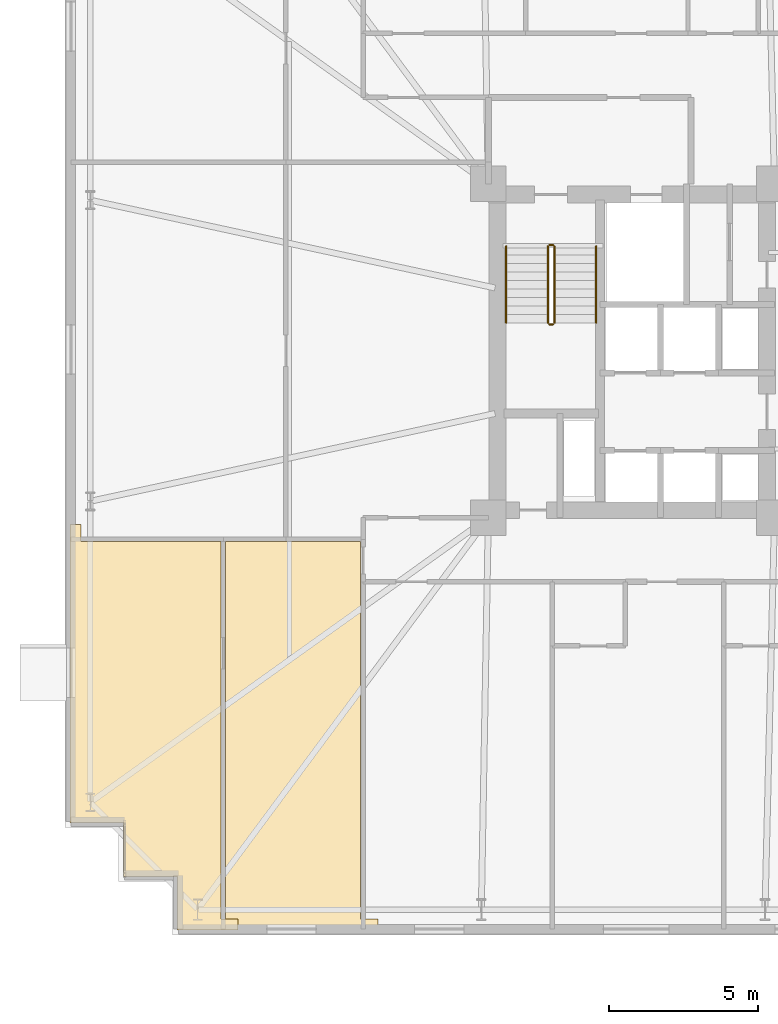
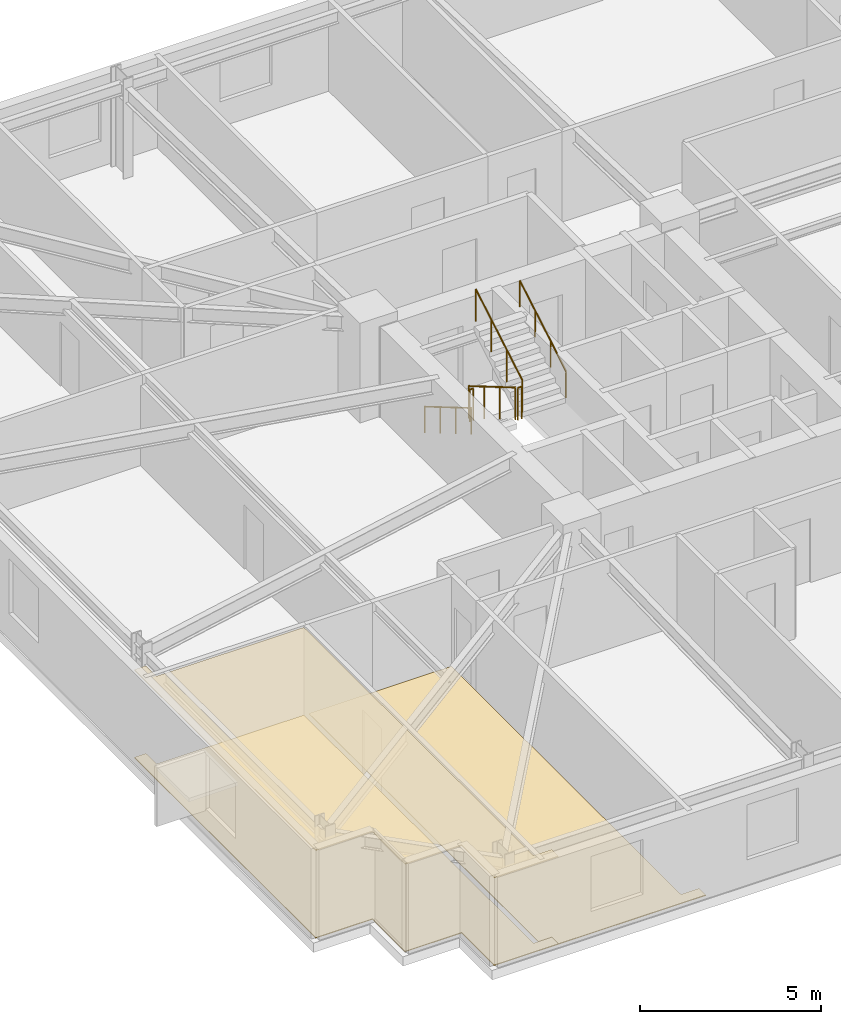
# One storey, part 19 of 20: 6 railings, 3 coverings.
"""IFC4 building model written with IfcOpenShell, lengths in metres."""

from ifc_helpers import new_model, si_unit, direction, frame, origin, origin_2d, place, context, subcontext, project, spatial, polyline, circle, outline, extrude, material, layer, layer_set, type_object, element, save


model = new_model("IFC4")

# Units and contexts
model_context = context("Model", 3, precision=1e-05, world=origin(), true_north=direction((0.0, 1.0)))
body_context = subcontext(model_context, "Body", "Model", "MODEL_VIEW")
ifc_project = project(units=[si_unit("LENGTHUNIT", "METRE"), si_unit("AREAUNIT", "SQUARE_METRE"), si_unit("VOLUMEUNIT", "CUBIC_METRE"), si_unit("PLANEANGLEUNIT", "RADIAN"), si_unit("MASSUNIT", "GRAM", prefix="KILO")], contexts=[model_context])

# Site, building, storey
site_placement = place(None, origin())
site = spatial("IfcSite", under=ifc_project, at=site_placement, CompositionType="ELEMENT")
building_placement = place(site_placement, origin())
building = spatial("IfcBuilding", under=site, at=building_placement, Name="Qobustan Lattice House", CompositionType="ELEMENT")
storey_placement = place(building_placement, frame((0.0, 0.0, 67.199951171875)))
storey = spatial("IfcBuildingStorey", under=building, at=storey_placement, Name="L18", CompositionType="ELEMENT", Elevation=67.199951171875)

# Coverings
ifc_material_1 = material(Name="Perforated gypsum acoustic ceiling", Category="gypsum")
ifc_layer_1 = layer(ifc_material_1, 0.030029296875)
ifc_layer_set_1 = layer_set([ifc_layer_1], Name="Perforated gypsum acoustic ceiling")
covering_type_1 = type_object("IfcCoveringType", Name="COV-ACOUSTIC-CEIL", PredefinedType="CEILING", material=ifc_layer_set_1)
covering_1_placement = place(storey_placement, frame((0.0, 0.0, 2.945068359375)))
element("IfcCovering", 1, at=covering_1_placement, inside=storey, type_object=covering_type_1, Name="L18 Focus study room W1A acoustic ceiling", PredefinedType="CEILING", context=body_context, shape_type="SweptSolid", body=[
    extrude(outline(polyline([(-29.22998046875, -19.429931640625), (-27.18994140625, -19.429931640625), (-27.18994140625, -19.06005859375), (-27.77001953125, -19.06005859375), (-27.77001953125, -6.406982421875), (-32.4599609375, -6.406982421875), (-32.4599609375, -5.826904296875), (-32.830078125, -5.826904296875), (-32.830078125, -15.830078125), (-31.030029296875, -15.830078125), (-31.030029296875, -17.6298828125), (-29.22998046875, -17.6298828125), (-29.22998046875, -19.429931640625)])), origin(), (0.0, 0.0, 1.0), 0.030029296875),
])
ifc_material_2 = material(Name="Honed Absheron stone terrazzo flooring", Category="masonry")
ifc_layer_2 = layer(ifc_material_2, 0.02490234375)
ifc_layer_set_2 = layer_set([ifc_layer_2], Name="Honed Absheron stone terrazzo flooring")
covering_type_2 = type_object("IfcCoveringType", Name="COV-TERRAZZO-FLR", PredefinedType="FLOORING", material=ifc_layer_set_2)
covering_2_placement = place(storey_placement, origin())
element("IfcCovering", 2, at=covering_2_placement, inside=storey, type_object=covering_type_2, Name="L18 Focus study room W1A stone terrazzo flooring", PredefinedType="FLOORING", context=body_context, shape_type="SweptSolid", body=[
    extrude(outline(polyline([(-29.22998046875, -19.429931640625), (-27.18994140625, -19.429931640625), (-27.18994140625, -19.06005859375), (-27.77001953125, -19.06005859375), (-27.77001953125, -6.406982421875), (-32.4599609375, -6.406982421875), (-32.4599609375, -5.826904296875), (-32.830078125, -5.826904296875), (-32.830078125, -15.830078125), (-31.030029296875, -15.830078125), (-31.030029296875, -17.6298828125), (-29.22998046875, -17.6298828125), (-29.22998046875, -19.429931640625)])), origin(), (0.0, 0.0, 1.0), 0.025146484375),
])
covering_3_placement = place(storey_placement, origin())
element("IfcCovering", 3, at=covering_3_placement, inside=storey, type_object=covering_type_2, Name="L18 Focus study room W1B stone terrazzo flooring", PredefinedType="FLOORING", context=body_context, shape_type="SweptSolid", body=[
    extrude(outline(polyline([(-22.5, -19.429931640625), (-22.5, -19.06005859375), (-23.080078125, -19.06005859375), (-23.080078125, -6.406982421875), (-27.610107421875, -6.406982421875), (-27.610107421875, -19.06005859375), (-28.18994140625, -19.06005859375), (-28.18994140625, -19.429931640625), (-22.5, -19.429931640625)])), origin(), (0.0, 0.0, 1.0), 0.025146484375),
])

# Railings
ifc_material_3 = material(Name="Brushed stainless steel handrail", Category="steel")
railing_type_1 = type_object("IfcRailingType", Name="RAL-HR-920", PredefinedType="HANDRAIL", material=ifc_material_3)
railing_1_placement = place(storey_placement, frame((-18.199951171875, 3.5, 0.16748046875)))
element("IfcRailing", 4, at=railing_1_placement, inside=storey, type_object=railing_type_1, Name="L18 ST-W1 stair handrail 1", PredefinedType="HANDRAIL", context=body_context, shape_type="SweptSolid", body=[
    extrude(circle(Radius=0.02392578125, at=origin_2d()), frame((0.0, 0.0, 0.8759765625), z_axis=(0.0, -0.862113467892, 0.50671527358), x_axis=(1.0, 0.0, 0.0)), (0.0, 0.0, 1.0), 2.97509765625),
    extrude(circle(Radius=0.02099609375, at=origin_2d()), origin(), (0.0, 0.0, 1.0), 0.851806640625),
    extrude(circle(Radius=0.02099609375, at=origin_2d()), frame((0.0, -0.85498046875, 0.50244140625)), (0.0, 0.0, 1.0), 0.851806640625),
    extrude(circle(Radius=0.02099609375, at=origin_2d()), frame((0.0, -1.7099609375, 1.005126953125)), (0.0, 0.0, 1.0), 0.851806640625),
    extrude(circle(Radius=0.02099609375, at=origin_2d()), frame((0.0, -2.56494140625, 1.507568359375)), (0.0, 0.0, 1.0), 0.851806640625),
])
railing_2_placement = place(storey_placement, frame((-15.179931640625, 0.93505859375, 1.842529296875)))
element("IfcRailing", 5, at=railing_2_placement, inside=storey, type_object=railing_type_1, Name="L18 ST-W1 stair handrail 2", PredefinedType="HANDRAIL", context=body_context, shape_type="SweptSolid", body=[
    extrude(circle(Radius=0.02392578125, at=origin_2d()), frame((0.0, 0.0, 0.8759765625), z_axis=(0.0, 0.862113467892, 0.50671527358), x_axis=(-1.0, 0.0, 0.0)), (0.0, 0.0, 1.0), 2.97509765625),
    extrude(circle(Radius=0.02099609375, at=origin_2d()), origin(), (0.0, 0.0, 1.0), 0.851806640625),
    extrude(circle(Radius=0.02099609375, at=origin_2d()), frame((0.0, 0.85498046875, 0.50244140625)), (0.0, 0.0, 1.0), 0.851806640625),
    extrude(circle(Radius=0.02099609375, at=origin_2d()), frame((0.0, 1.7099609375, 1.005126953125)), (0.0, 0.0, 1.0), 0.851806640625),
    extrude(circle(Radius=0.02099609375, at=origin_2d()), frame((0.0, 2.56494140625, 1.507568359375)), (0.0, 0.0, 1.0), 0.851806640625),
])
ifc_material_4 = material(Name="Painted galvanized steel guardrail", Category="steel")
railing_type_2 = type_object("IfcRailingType", Name="RAL-STG-1150", PredefinedType="GUARDRAIL", material=ifc_material_4)
railing_3_placement = place(storey_placement, frame((-16.800048828125, 3.5, 0.16748046875)))
element("IfcRailing", 6, at=railing_3_placement, inside=storey, type_object=railing_type_2, Name="L18 ST-W1 stair guard 1", PredefinedType="GUARDRAIL", context=body_context, shape_type="SweptSolid", body=[
    extrude(circle(Radius=0.02392578125, at=origin_2d()), frame((0.0, 0.0, 1.076171875), z_axis=(0.0, -0.862113467892, 0.50671527358), x_axis=(1.0, 0.0, 0.0)), (0.0, 0.0, 1.0), 2.97509765625),
    extrude(circle(Radius=0.02099609375, at=origin_2d()), origin(), (0.0, 0.0, 1.0), 1.052001953125),
    extrude(circle(Radius=0.02099609375, at=origin_2d()), frame((0.0, -0.85498046875, 0.50244140625)), (0.0, 0.0, 1.0), 1.052001953125),
    extrude(circle(Radius=0.02099609375, at=origin_2d()), frame((0.0, -1.7099609375, 1.005126953125)), (0.0, 0.0, 1.0), 1.052001953125),
    extrude(circle(Radius=0.02099609375, at=origin_2d()), frame((0.0, -2.56494140625, 1.507568359375)), (0.0, 0.0, 1.0), 1.052001953125),
])
railing_4_placement = place(storey_placement, frame((-16.75, 0.885009765625, 1.675048828125)))
element("IfcRailing", 7, at=railing_4_placement, inside=storey, type_object=railing_type_2, Name="L18 ST-W1 stair guard 2", PredefinedType="GUARDRAIL", context=body_context, shape_type="SweptSolid", body=[
    extrude(circle(Radius=0.02392578125, at=origin_2d()), frame((0.0, 0.0, 1.076171875), z_axis=(1.0, 0.0, 0.0), x_axis=(0.0, 1.0, 0.0)), (0.0, 0.0, 1.0), 0.1201171875),
    extrude(circle(Radius=0.02099609375, at=origin_2d()), origin(), (0.0, 0.0, 1.0), 1.052001953125),
    extrude(circle(Radius=0.02099609375, at=origin_2d()), frame((0.1201171875, 0.0, 0.0)), (0.0, 0.0, 1.0), 1.052001953125),
])
railing_5_placement = place(storey_placement, frame((-16.580078125, 0.93505859375, 1.842529296875)))
element("IfcRailing", 8, at=railing_5_placement, inside=storey, type_object=railing_type_2, Name="L18 ST-W1 stair guard 3", PredefinedType="GUARDRAIL", context=body_context, shape_type="SweptSolid", body=[
    extrude(circle(Radius=0.02392578125, at=origin_2d()), frame((0.0, 0.0, 1.076171875), z_axis=(0.0, 0.862113467892, 0.50671527358), x_axis=(-1.0, 0.0, 0.0)), (0.0, 0.0, 1.0), 2.97509765625),
    extrude(circle(Radius=0.02099609375, at=origin_2d()), origin(), (0.0, 0.0, 1.0), 1.052001953125),
    extrude(circle(Radius=0.02099609375, at=origin_2d()), frame((0.0, 0.85498046875, 0.50244140625)), (0.0, 0.0, 1.0), 1.052001953125),
    extrude(circle(Radius=0.02099609375, at=origin_2d()), frame((0.0, 1.7099609375, 1.005126953125)), (0.0, 0.0, 1.0), 1.052001953125),
    extrude(circle(Radius=0.02099609375, at=origin_2d()), frame((0.0, 2.56494140625, 1.507568359375)), (0.0, 0.0, 1.0), 1.052001953125),
])
railing_6_placement = place(storey_placement, frame((-16.75, 3.550048828125, 0.0)))
element("IfcRailing", 9, at=railing_6_placement, inside=storey, type_object=railing_type_2, Name="L18 ST-W1 stair guard 4", PredefinedType="GUARDRAIL", context=body_context, shape_type="SweptSolid", body=[
    extrude(circle(Radius=0.02392578125, at=origin_2d()), frame((0.0, 0.0, 1.076171875), z_axis=(1.0, 0.0, 0.0), x_axis=(0.0, 1.0, 0.0)), (0.0, 0.0, 1.0), 0.1201171875),
    extrude(circle(Radius=0.02099609375, at=origin_2d()), origin(), (0.0, 0.0, 1.0), 1.052001953125),
    extrude(circle(Radius=0.02099609375, at=origin_2d()), frame((0.1201171875, 0.0, 0.0)), (0.0, 0.0, 1.0), 1.052001953125),
])

save(model, "model.ifc")
